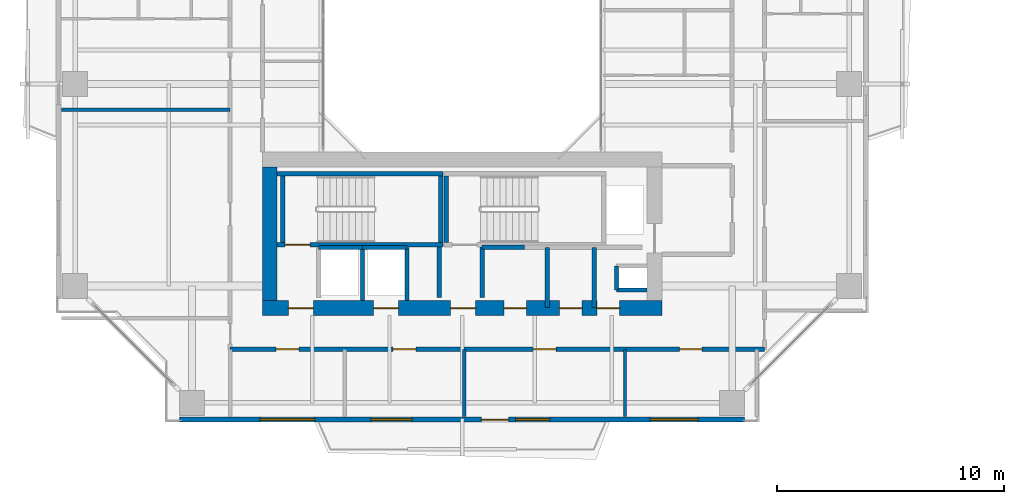
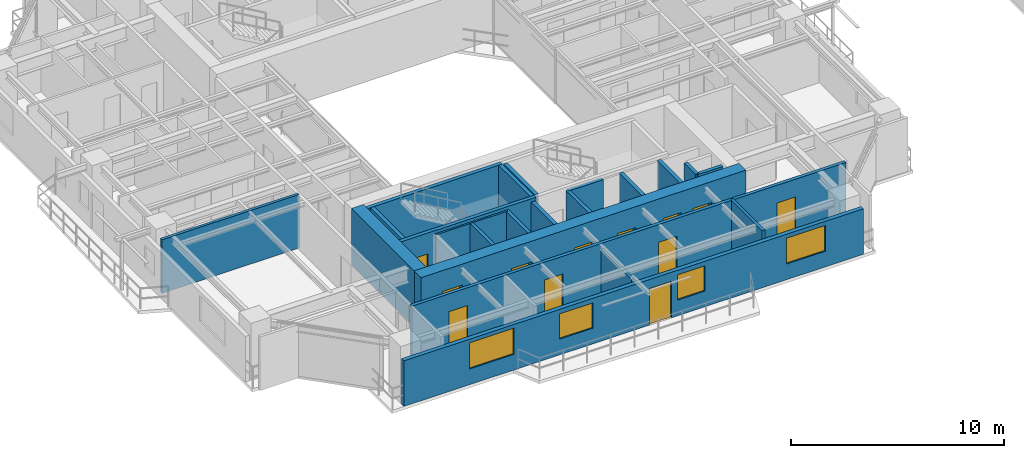
# One storey, part 13 of 24: 23 walls, 12 doors, 4 windows, 16 openings.
"""IFC4 building model written with IfcOpenShell, lengths in metres."""

from ifc_helpers import new_model, si_unit, direction, frame, frame_2d, origin, place, context, subcontext, project, spatial, rectangle, extrude, source, transform, mapped, material, layer, layer_set, type_object, element, fill, save


model = new_model("IFC4")

# Units and contexts
model_context = context("Model", 3, precision=1e-05, world=origin(), true_north=direction((0.0, 1.0)))
body_context = subcontext(model_context, "Body", "Model", "MODEL_VIEW")
ifc_project = project(units=[si_unit("LENGTHUNIT", "METRE"), si_unit("AREAUNIT", "SQUARE_METRE"), si_unit("VOLUMEUNIT", "CUBIC_METRE"), si_unit("PLANEANGLEUNIT", "RADIAN"), si_unit("MASSUNIT", "GRAM", prefix="KILO"), si_unit("THERMODYNAMICTEMPERATUREUNIT", "KELVIN"), si_unit("POWERUNIT", "WATT")], contexts=[model_context])

# Site, building, storey
site_placement = place(None, origin())
site = spatial("IfcSite", under=ifc_project, at=site_placement, CompositionType="ELEMENT")
building_placement = place(site_placement, origin())
building = spatial("IfcBuilding", under=site, at=building_placement, Name="Qiaomeng Ring Towers", CompositionType="ELEMENT")
storey_placement = place(building_placement, frame((0.0, 0.0, 110.0)))
storey = spatial("IfcBuildingStorey", under=building, at=storey_placement, Name="L31", CompositionType="ELEMENT", Elevation=110.0)

# Wall, openings, windows, door
ifc_material_1 = material(Name="Precast concrete C40", Category="concrete")
ifc_layer_1 = layer(ifc_material_1, 0.219970703125, Name="Precast concrete C40")
ifc_layer_set_1 = layer_set([ifc_layer_1], Name="Precast concrete C40")
wall_type_1 = type_object("IfcWallType", Name="ARC-WL-EW2", PredefinedType="STANDARD", material=ifc_layer_set_1)
wall_1_placement = place(storey_placement, frame((6.550048828125, 5.2099609375, 0.0), z_axis=(0.0, 0.0, 1.0), x_axis=(1.0, 0.0, 0.0)))
wall_1 = element("IfcWall", 1, at=wall_1_placement, inside=storey, type_object=wall_type_1, Name="L31 Tower 1 S Exterior Wall", PredefinedType="STANDARD", context=body_context, shape_type="SweptSolid", body=[
    extrude(rectangle(XDim=24.89990234375, YDim=0.219970703125, at=frame_2d((12.449951171875, 0.0))), origin(), (0.0, 0.0, 1.0), 2.610107421875),
])
opening_1_placement = place(wall_1_placement, frame((13.300048828125, 0.0, 0.0)))
opening_1 = element("IfcOpeningElement", 2, at=opening_1_placement, cuts=wall_1, Name="Opening BD1", PredefinedType="OPENING", context=body_context, shape_type="SweptSolid", body=[
    extrude(rectangle(XDim=1.199951171875, YDim=2.10009765625, at=frame_2d((0.60009765625, 1.050048828125))), frame((0.0, 0.119873046875, 0.0), z_axis=(0.0, -1.0, 0.0), x_axis=(1.0, 0.0, 0.0)), (0.0, 0.0, 1.0), 0.239990234375),
])
opening_2_placement = place(wall_1_placement, frame((3.554931640625, 0.0, 0.89990234375)))
opening_2 = element("IfcOpeningElement", 3, at=opening_2_placement, cuts=wall_1, Name="Opening WN6", PredefinedType="OPENING", context=body_context, shape_type="SweptSolid", body=[
    extrude(rectangle(XDim=2.39990234375, YDim=1.5, at=frame_2d((1.199951171875, 0.75))), frame((0.0, 0.119873046875, 0.0), z_axis=(0.0, -1.0, 0.0), x_axis=(1.0, 0.0, 0.0)), (0.0, 0.0, 1.0), 0.239990234375),
])
opening_3_placement = place(wall_1_placement, frame((8.43798828125, 0.0, 0.89990234375)))
opening_3 = element("IfcOpeningElement", 4, at=opening_3_placement, cuts=wall_1, Name="Opening WN1", PredefinedType="OPENING", context=body_context, shape_type="SweptSolid", body=[
    extrude(rectangle(XDim=1.800048828125, YDim=1.449951171875, at=frame_2d((0.89990234375, 0.72509765625))), frame((0.0, 0.119873046875, 0.0), z_axis=(0.0, -1.0, 0.0), x_axis=(1.0, 0.0, 0.0)), (0.0, 0.0, 1.0), 0.239990234375),
])
opening_4_placement = place(wall_1_placement, frame((14.81298828125, 0.0, 0.89990234375)))
opening_4 = element("IfcOpeningElement", 5, at=opening_4_placement, cuts=wall_1, Name="Opening WN2", PredefinedType="OPENING", context=body_context, shape_type="SweptSolid", body=[
    extrude(rectangle(XDim=1.5, YDim=1.449951171875, at=frame_2d((0.75, 0.72509765625))), frame((0.0, 0.119873046875, 0.0), z_axis=(0.0, -1.0, 0.0), x_axis=(1.0, 0.0, 0.0)), (0.0, 0.0, 1.0), 0.239990234375),
])
opening_5_placement = place(wall_1_placement, frame((20.738037109375, 0.0, 0.89990234375)))
opening_5 = element("IfcOpeningElement", 6, at=opening_5_placement, cuts=wall_1, Name="Opening WN4", PredefinedType="OPENING", context=body_context, shape_type="SweptSolid", body=[
    extrude(rectangle(XDim=2.10009765625, YDim=1.47998046875, at=frame_2d((1.050048828125, 0.739990234375))), frame((0.0, 0.119873046875, 0.0), z_axis=(0.0, -1.0, 0.0), x_axis=(1.0, 0.0, 0.0)), (0.0, 0.0, 1.0), 0.239990234375),
])
ifc_material_2 = material(Name="Low-E dark-grey laminated double glazing", Category="glass")
window_type_1 = type_object("IfcWindowType", Name="ARC-WN-2", PartitioningType="DOUBLE_PANEL_VERTICAL", PredefinedType="WINDOW", material=ifc_material_2)
shared_shape_1 = source(origin(), body_context, "Body", "SweptSolid", [
    extrude(rectangle(XDim=1.5, YDim=1.449951171875, at=frame_2d((0.75, 0.72509765625))), frame((0.0, 0.030029296875, 0.0), z_axis=(0.0, -1.0, 0.0), x_axis=(1.0, 0.0, 0.0)), (0.0, 0.0, 1.0), 0.06005859375),
])
window_1_placement = place(opening_4_placement, origin())
window_1 = element("IfcWindow", 7, at=window_1_placement, inside=storey, type_object=window_type_1, Name="L31 Exterior Window WN2", OverallHeight=1.449951171875, OverallWidth=1.5, PartitioningType="DOUBLE_PANEL_VERTICAL", PredefinedType="WINDOW", context=body_context, shape_type="MappedRepresentation", body=[
    mapped(shared_shape_1, transform((0.0, 0.0, 0.0), x_axis=(1.0, 0.0, 0.0), y_axis=(0.0, 1.0, 0.0), z_axis=(0.0, 0.0, 1.0), scale=1.0)),
])
fill(opening_4, window_1)
window_type_2 = type_object("IfcWindowType", Name="ARC-WN-4", PartitioningType="TRIPLE_PANEL_VERTICAL", PredefinedType="WINDOW", material=ifc_material_2)
shared_shape_2 = source(origin(), body_context, "Body", "SweptSolid", [
    extrude(rectangle(XDim=2.10009765625, YDim=1.47998046875, at=frame_2d((1.050048828125, 0.739990234375))), frame((0.0, 0.030029296875, 0.0), z_axis=(0.0, -1.0, 0.0), x_axis=(1.0, 0.0, 0.0)), (0.0, 0.0, 1.0), 0.06005859375),
])
window_2_placement = place(opening_5_placement, origin())
window_2 = element("IfcWindow", 8, at=window_2_placement, inside=storey, type_object=window_type_2, Name="L31 Exterior Window WN4", OverallHeight=1.47998046875, OverallWidth=2.10009765625, PartitioningType="TRIPLE_PANEL_VERTICAL", PredefinedType="WINDOW", context=body_context, shape_type="MappedRepresentation", body=[
    mapped(shared_shape_2, transform((0.0, 0.0, 0.0), x_axis=(1.0, 0.0, 0.0), y_axis=(0.0, 1.0, 0.0), z_axis=(0.0, 0.0, 1.0), scale=1.0)),
])
fill(opening_5, window_2)
window_type_3 = type_object("IfcWindowType", Name="ARC-WN-1", PartitioningType="DOUBLE_PANEL_VERTICAL", PredefinedType="WINDOW", material=ifc_material_2)
shared_shape_3 = source(origin(), body_context, "Body", "SweptSolid", [
    extrude(rectangle(XDim=1.800048828125, YDim=1.449951171875, at=frame_2d((0.89990234375, 0.72509765625))), frame((0.0, 0.030029296875, 0.0), z_axis=(0.0, -1.0, 0.0), x_axis=(1.0, 0.0, 0.0)), (0.0, 0.0, 1.0), 0.06005859375),
])
window_3_placement = place(opening_3_placement, origin())
window_3 = element("IfcWindow", 9, at=window_3_placement, inside=storey, type_object=window_type_3, Name="L31 Exterior Window WN1", OverallHeight=1.449951171875, OverallWidth=1.800048828125, PartitioningType="DOUBLE_PANEL_VERTICAL", PredefinedType="WINDOW", context=body_context, shape_type="MappedRepresentation", body=[
    mapped(shared_shape_3, transform((0.0, 0.0, 0.0), x_axis=(1.0, 0.0, 0.0), y_axis=(0.0, 1.0, 0.0), z_axis=(0.0, 0.0, 1.0), scale=1.0)),
])
fill(opening_3, window_3)
door_type_1 = type_object("IfcDoorType", Name="ARC-DR-BD1", OperationType="NOTDEFINED", PredefinedType="DOOR", material=ifc_material_2)
shared_shape_4 = source(origin(), body_context, "Body", "SweptSolid", [
    extrude(rectangle(XDim=1.199951171875, YDim=2.10009765625, at=frame_2d((0.60009765625, 1.050048828125))), frame((0.0, 0.02490234375, 0.0), z_axis=(0.0, -1.0, 0.0), x_axis=(1.0, 0.0, 0.0)), (0.0, 0.0, 1.0), 0.050048828125),
])
door_1_placement = place(opening_1_placement, frame((1.199951171875, 0.0, 0.0), z_axis=(0.0, 0.0, 1.0), x_axis=(-1.0, 0.0, 0.0)))
door_1 = element("IfcDoor", 10, at=door_1_placement, inside=storey, type_object=door_type_1, Name="L31 S Balcony Glazed Door", OperationType="SINGLE_SWING_LEFT", OverallHeight=2.10009765625, OverallWidth=1.199951171875, PredefinedType="DOOR", context=body_context, shape_type="MappedRepresentation", body=[
    mapped(shared_shape_4, transform((0.0, 0.0, 0.0), x_axis=(1.0, 0.0, 0.0), y_axis=(0.0, 1.0, 0.0), z_axis=(0.0, 0.0, 1.0), scale=1.0)),
])
fill(opening_1, door_1)
window_type_4 = type_object("IfcWindowType", Name="ARC-WN-6", PartitioningType="TRIPLE_PANEL_VERTICAL", PredefinedType="WINDOW", material=ifc_material_2)
shared_shape_5 = source(origin(), body_context, "Body", "SweptSolid", [
    extrude(rectangle(XDim=2.39990234375, YDim=1.5, at=frame_2d((1.199951171875, 0.75))), frame((0.0, 0.030029296875, 0.0), z_axis=(0.0, -1.0, 0.0), x_axis=(1.0, 0.0, 0.0)), (0.0, 0.0, 1.0), 0.06005859375),
])
window_4_placement = place(opening_2_placement, origin())
window_4 = element("IfcWindow", 11, at=window_4_placement, inside=storey, type_object=window_type_4, Name="L31 Exterior Window WN6", OverallHeight=1.5, OverallWidth=2.39990234375, PartitioningType="TRIPLE_PANEL_VERTICAL", PredefinedType="WINDOW", context=body_context, shape_type="MappedRepresentation", body=[
    mapped(shared_shape_5, transform((0.0, 0.0, 0.0), x_axis=(1.0, 0.0, 0.0), y_axis=(0.0, 1.0, 0.0), z_axis=(0.0, 0.0, 1.0), scale=1.0)),
])
fill(opening_2, window_4)

# Walls
ifc_material_3 = material(Name="Autoclaved aerated concrete block", Category="concrete")
ifc_layer_2 = layer(ifc_material_3, 0.199951171875, Name="Autoclaved aerated concrete block")
ifc_layer_set_2 = layer_set([ifc_layer_2], Name="Autoclaved aerated concrete block")
wall_type_2 = type_object("IfcWallType", Name="ARC-WL-PW1", PredefinedType="PARTITIONING", material=ifc_layer_set_2)
for number, where, z_axis, x_axis, name in (
    (12, (18.0, 10.60009765625, 0.0), (0.0, 0.0, 1.0), (0.0, 1.0, 0.0), "L31 Interior Wall PW1"),
    (13, (19.8798828125, 10.60009765625, 0.0), (0.0, 0.0, 1.0), (0.0, 1.0, 0.0), "L31 Interior Wall PW1"),
):
    element("IfcWall", number, at=place(storey_placement, frame(where, z_axis=z_axis, x_axis=x_axis)), inside=storey, type_object=wall_type_2, Name=name, PredefinedType="PARTITIONING", context=body_context, shape_type="SweptSolid", body=[
        extrude(rectangle(XDim=2.2099609375, YDim=0.199951171875, at=frame_2d((1.10498046875, 0.0))), origin(), (0.0, 0.0, 1.0), 3.070068359375),
    ])
wall_2_placement = place(storey_placement, frame((24.820068359375, 10.14990234375, 0.0), z_axis=(0.0, 0.0, 1.0), x_axis=(0.0, 1.0, 0.0)))
element("IfcWall", 14, at=wall_2_placement, inside=storey, type_object=wall_type_2, Name="L31 Interior Wall PW1", PredefinedType="PARTITIONING", context=body_context, shape_type="SweptSolid", body=[
    extrude(rectangle(XDim=2.650146484375, YDim=0.199951171875, at=frame_2d((1.3251953125, 0.0))), origin(), (0.0, 0.0, 1.0), 3.070068359375),
])
wall_3_placement = place(storey_placement, frame((19.8798828125, 12.800048828125, 0.0), z_axis=(0.0, 0.0, 1.0), x_axis=(1.0, 0.0, 0.0)))
element("IfcWall", 15, at=wall_3_placement, inside=storey, type_object=wall_type_2, Name="L31 Interior Wall PW1", PredefinedType="PARTITIONING", context=body_context, shape_type="SweptSolid", body=[
    extrude(rectangle(XDim=1.8701171875, YDim=0.199951171875, at=frame_2d((0.93505859375, 0.0))), origin(), (0.0, 0.0, 1.0), 3.070068359375),
])
wall_4_placement = place(storey_placement, frame((22.760009765625, 10.14990234375, 0.0), z_axis=(0.0, 0.0, 1.0), x_axis=(0.0, 1.0, 0.0)))
element("IfcWall", 16, at=wall_4_placement, inside=storey, type_object=wall_type_2, Name="L31 Interior Wall PW1", PredefinedType="PARTITIONING", context=body_context, shape_type="SweptSolid", body=[
    extrude(rectangle(XDim=2.650146484375, YDim=0.199951171875, at=frame_2d((1.3251953125, 0.0))), origin(), (0.0, 0.0, 1.0), 3.070068359375),
])

# Wall, openings, doors
ifc_layer_3 = layer(ifc_material_3, 0.179931640625, Name="Autoclaved aerated concrete block")
ifc_layer_set_3 = layer_set([ifc_layer_3], Name="Autoclaved aerated concrete block")
wall_type_3 = type_object("IfcWallType", Name="ARC-WL-PW2", PredefinedType="PARTITIONING", material=ifc_layer_set_3)
wall_5_placement = place(storey_placement, frame((8.780029296875, 8.31005859375, 0.0), z_axis=(0.0, 0.0, 1.0), x_axis=(1.0, 0.0, 0.0)))
wall_5 = element("IfcWall", 17, at=wall_5_placement, inside=storey, type_object=wall_type_3, Name="L31 Interior Wall PW2", PredefinedType="PARTITIONING", context=body_context, shape_type="SweptSolid", body=[
    extrude(rectangle(XDim=23.5400390625, YDim=0.179931640625, at=frame_2d((11.77001953125, 0.0))), origin(), (0.0, 0.0, 1.0), 3.070068359375),
])
opening_6_placement = place(wall_5_placement, frame((2.02490234375, 0.0, 0.0)))
opening_6 = element("IfcOpeningElement", 18, at=opening_6_placement, cuts=wall_5, Name="Opening FD4", PredefinedType="OPENING", context=body_context, shape_type="SweptSolid", body=[
    extrude(rectangle(XDim=1.0, YDim=2.050048828125, at=frame_2d((0.5, 1.02490234375))), frame((0.0, 0.099853515625, 0.0), z_axis=(0.0, -1.0, 0.0), x_axis=(1.0, 0.0, 0.0)), (0.0, 0.0, 1.0), 0.199951171875),
])
opening_7_placement = place(wall_5_placement, frame((7.18505859375, 0.0, 0.0)))
opening_7 = element("IfcOpeningElement", 19, at=opening_7_placement, cuts=wall_5, Name="Opening FD4", PredefinedType="OPENING", context=body_context, shape_type="SweptSolid", body=[
    extrude(rectangle(XDim=1.0, YDim=2.050048828125, at=frame_2d((0.5, 1.02490234375))), frame((0.0, 0.099853515625, 0.0), z_axis=(0.0, -1.0, 0.0), x_axis=(1.0, 0.0, 0.0)), (0.0, 0.0, 1.0), 0.199951171875),
])
opening_8_placement = place(wall_5_placement, frame((13.360107421875, 0.0, 0.0)))
opening_8 = element("IfcOpeningElement", 20, at=opening_8_placement, cuts=wall_5, Name="Opening FD4", PredefinedType="OPENING", context=body_context, shape_type="SweptSolid", body=[
    extrude(rectangle(XDim=1.0, YDim=2.050048828125, at=frame_2d((0.5, 1.02490234375))), frame((0.0, 0.099853515625, 0.0), z_axis=(0.0, -1.0, 0.0), x_axis=(1.0, 0.0, 0.0)), (0.0, 0.0, 1.0), 0.199951171875),
])
opening_9_placement = place(wall_5_placement, frame((19.800048828125, 0.0, 0.0)))
opening_9 = element("IfcOpeningElement", 21, at=opening_9_placement, cuts=wall_5, Name="Opening FD4", PredefinedType="OPENING", context=body_context, shape_type="SweptSolid", body=[
    extrude(rectangle(XDim=1.0, YDim=2.050048828125, at=frame_2d((0.5, 1.02490234375))), frame((0.0, 0.099853515625, 0.0), z_axis=(0.0, -1.0, 0.0), x_axis=(1.0, 0.0, 0.0)), (0.0, 0.0, 1.0), 0.199951171875),
])
ifc_material_4 = material(Name="Engineered fire-rated oak timber", Category="wood")
door_type_2 = type_object("IfcDoorType", Name="ARC-DR-FD4", OperationType="NOTDEFINED", PredefinedType="DOOR", material=ifc_material_4)
shared_shape_6 = source(origin(), body_context, "Body", "SweptSolid", [
    extrude(rectangle(XDim=1.0, YDim=2.050048828125, at=frame_2d((0.5, 1.02490234375))), frame((0.0, 0.02490234375, 0.0), z_axis=(0.0, -1.0, 0.0), x_axis=(1.0, 0.0, 0.0)), (0.0, 0.0, 1.0), 0.050048828125),
])
door_2_placement = place(opening_6_placement, origin())
door_2 = element("IfcDoor", 22, at=door_2_placement, inside=storey, type_object=door_type_2, Name="L31 Door FD4", OperationType="SINGLE_SWING_RIGHT", OverallHeight=2.050048828125, OverallWidth=1.0, PredefinedType="DOOR", context=body_context, shape_type="MappedRepresentation", body=[
    mapped(shared_shape_6, transform((0.0, 0.0, 0.0), x_axis=(1.0, 0.0, 0.0), y_axis=(0.0, 1.0, 0.0), z_axis=(0.0, 0.0, 1.0), scale=1.0)),
])
fill(opening_6, door_2)
door_3_placement = place(opening_7_placement, origin())
door_3 = element("IfcDoor", 23, at=door_3_placement, inside=storey, type_object=door_type_2, Name="L31 Door FD4", OperationType="SINGLE_SWING_LEFT", OverallHeight=2.050048828125, OverallWidth=1.0, PredefinedType="DOOR", context=body_context, shape_type="MappedRepresentation", body=[
    mapped(shared_shape_6, transform((0.0, 0.0, 0.0), x_axis=(1.0, 0.0, 0.0), y_axis=(0.0, 1.0, 0.0), z_axis=(0.0, 0.0, 1.0), scale=1.0)),
])
fill(opening_7, door_3)
door_4_placement = place(opening_8_placement, origin())
door_4 = element("IfcDoor", 24, at=door_4_placement, inside=storey, type_object=door_type_2, Name="L31 Door FD4", OperationType="SINGLE_SWING_RIGHT", OverallHeight=2.050048828125, OverallWidth=1.0, PredefinedType="DOOR", context=body_context, shape_type="MappedRepresentation", body=[
    mapped(shared_shape_6, transform((0.0, 0.0, 0.0), x_axis=(1.0, 0.0, 0.0), y_axis=(0.0, 1.0, 0.0), z_axis=(0.0, 0.0, 1.0), scale=1.0)),
])
fill(opening_8, door_4)
door_5_placement = place(opening_9_placement, origin())
door_5 = element("IfcDoor", 25, at=door_5_placement, inside=storey, type_object=door_type_2, Name="L31 Door FD4", OperationType="SINGLE_SWING_LEFT", OverallHeight=2.050048828125, OverallWidth=1.0, PredefinedType="DOOR", context=body_context, shape_type="MappedRepresentation", body=[
    mapped(shared_shape_6, transform((0.0, 0.0, 0.0), x_axis=(1.0, 0.0, 0.0), y_axis=(0.0, 1.0, 0.0), z_axis=(0.0, 0.0, 1.0), scale=1.0)),
])
fill(opening_9, door_5)

# Walls
ifc_material_5 = material(Name="Gypsum fireboard steel-stud partition", Category="steel")
ifc_layer_4 = layer(ifc_material_5, 0.14990234375, Name="Gypsum fireboard steel-stud partition")
ifc_layer_set_4 = layer_set([ifc_layer_4], Name="Gypsum fireboard steel-stud partition")
wall_type_4 = type_object("IfcWallType", Name="ARC-WL-PW3", PredefinedType="PARTITIONING", material=ifc_layer_set_4)
wall_6_placement = place(storey_placement, frame((19.10009765625, 5.35009765625, 0.0), z_axis=(0.0, 0.0, 1.0), x_axis=(0.0, 1.0, 0.0)))
element("IfcWall", 26, at=wall_6_placement, inside=storey, type_object=wall_type_4, Name="L31 Interior Wall PW3", PredefinedType="PARTITIONING", context=body_context, shape_type="SweptSolid", body=[
    extrude(rectangle(XDim=2.9599609375, YDim=0.14990234375, at=frame_2d((1.47998046875, 0.0))), origin(), (0.0, 0.0, 1.0), 2.764892578125),
])
wall_7_placement = place(storey_placement, frame((26.179931640625, 5.35009765625, 0.0), z_axis=(0.0, 0.0, 1.0), x_axis=(0.0, 1.0, 0.0)))
element("IfcWall", 27, at=wall_7_placement, inside=storey, type_object=wall_type_4, Name="L31 Interior Wall PW3", PredefinedType="PARTITIONING", context=body_context, shape_type="SweptSolid", body=[
    extrude(rectangle(XDim=2.9599609375, YDim=0.14990234375, at=frame_2d((1.47998046875, 0.0))), origin(), (0.0, 0.0, 1.0), 3.070068359375),
])
wall_8_placement = place(storey_placement, frame((1.35009765625, 18.860107421875, 0.0), z_axis=(0.0, 0.0, 1.0), x_axis=(1.0, 0.0, 0.0)))
element("IfcWall", 28, at=wall_8_placement, inside=storey, type_object=wall_type_4, Name="L31 Interior Wall PW3", PredefinedType="PARTITIONING", context=body_context, shape_type="SweptSolid", body=[
    extrude(rectangle(XDim=7.429931640625, YDim=0.14990234375, at=frame_2d((3.71484375, 0.0))), origin(), (0.0, 0.0, 1.0), 3.070068359375),
])
ifc_material_6 = material(Name="Concrete C40", Category="concrete")
ifc_layer_5 = layer(ifc_material_6, 0.199951171875, Name="Concrete C40")
ifc_layer_set_5 = layer_set([ifc_layer_5], Name="Concrete C40")
wall_type_5 = type_object("IfcWallType", Name="STR-WL-STSHAFT", PredefinedType="SHEAR", material=ifc_layer_set_5)
wall_9_placement = place(storey_placement, frame((12.679931640625, 12.800048828125, 0.0), z_axis=(0.0, 0.0, 1.0), x_axis=(1.0, 0.0, 0.0)))
element("IfcWall", 29, at=wall_9_placement, inside=storey, type_object=wall_type_5, Name="L31 Lift LP6 Shaft Back Wall", PredefinedType="SHEAR", context=body_context, shape_type="SweptSolid", body=[
    extrude(rectangle(XDim=1.940185546875, YDim=0.179931640625, at=frame_2d((0.97021484375, 0.0))), origin(), (0.0, 0.0, 1.0), 3.070068359375),
])
wall_10_placement = place(storey_placement, frame((14.6201171875, 10.449951171875, 0.0), z_axis=(0.0, 0.0, 1.0), x_axis=(0.0, 1.0, 0.0)))
element("IfcWall", 30, at=wall_10_placement, inside=storey, type_object=wall_type_5, Name="L31 Lift LP6-LP4 Shaft Divider Wall", PredefinedType="SHEAR", context=body_context, shape_type="SweptSolid", body=[
    extrude(rectangle(XDim=2.35009765625, YDim=0.179931640625, at=frame_2d((1.175048828125, 0.0))), origin(), (0.0, 0.0, 1.0), 3.070068359375),
])
wall_11_placement = place(storey_placement, frame((25.800048828125, 10.919921875, 0.0), z_axis=(0.0, 0.0, 1.0), x_axis=(0.0, 1.0, 0.0)))
element("IfcWall", 31, at=wall_11_placement, inside=storey, type_object=wall_type_5, Name="L31 Riser RSR1 West Shaft Wall S", PredefinedType="SHEAR", context=body_context, shape_type="SweptSolid", body=[
    extrude(rectangle(XDim=1.06005859375, YDim=0.179931640625, at=frame_2d((0.530029296875, 0.0))), origin(), (0.0, 0.0, 1.0), 3.070068359375),
])
wall_12_placement = place(storey_placement, frame((25.800048828125, 10.919921875, 0.0), z_axis=(0.0, 0.0, 1.0), x_axis=(1.0, 0.0, 0.0)))
element("IfcWall", 32, at=wall_12_placement, inside=storey, type_object=wall_type_5, Name="L31 Riser RSR1 South Shaft Wall S", PredefinedType="SHEAR", context=body_context, shape_type="SweptSolid", body=[
    extrude(rectangle(XDim=1.349853515625, YDim=0.179931640625, at=frame_2d((0.6748046875, 0.0))), origin(), (0.0, 0.0, 1.0), 3.070068359375),
])
wall_13_placement = place(storey_placement, frame((14.6201171875, 12.800048828125, 0.0), z_axis=(0.0, 0.0, 1.0), x_axis=(1.0, 0.0, 0.0)))
element("IfcWall", 33, at=wall_13_placement, inside=storey, type_object=wall_type_5, Name="L31 Lift LP4 Shaft Back Wall", PredefinedType="SHEAR", context=body_context, shape_type="SweptSolid", body=[
    extrude(rectangle(XDim=1.9599609375, YDim=0.179931640625, at=frame_2d((0.97998046875, 0.0))), origin(), (0.0, 0.0, 1.0), 3.070068359375),
])
wall_14_placement = place(storey_placement, frame((16.580078125, 10.449951171875, 0.0), z_axis=(0.0, 0.0, 1.0), x_axis=(0.0, 1.0, 0.0)))
element("IfcWall", 34, at=wall_14_placement, inside=storey, type_object=wall_type_5, Name="L31 Lift LP4 East Shaft Wall", PredefinedType="SHEAR", context=body_context, shape_type="SweptSolid", body=[
    extrude(rectangle(XDim=2.35009765625, YDim=0.179931640625, at=frame_2d((1.175048828125, 0.0))), origin(), (0.0, 0.0, 1.0), 3.070068359375),
])

# Wall, opening, door
wall_15_placement = place(storey_placement, frame((10.85009765625, 12.909912109375, 0.0), z_axis=(0.0, 0.0, 1.0), x_axis=(1.0, 0.0, 0.0)))
wall_15 = element("IfcWall", 35, at=wall_15_placement, inside=storey, type_object=wall_type_5, Name="L31 Stair ST3 South Shaft Shear Wall", PredefinedType="SHEAR", context=body_context, shape_type="SweptSolid", body=[
    extrude(rectangle(XDim=7.2998046875, YDim=0.199951171875, at=frame_2d((3.64990234375, 0.0))), origin(), (0.0, 0.0, 1.0), 3.25),
])
opening_10_placement = place(wall_15_placement, frame((0.35009765625, 0.0, 0.0)))
opening_10 = element("IfcOpeningElement", 36, at=opening_10_placement, cuts=wall_15, Name="Opening FD3", PredefinedType="OPENING", context=body_context, shape_type="SweptSolid", body=[
    extrude(rectangle(XDim=1.10009765625, YDim=2.050048828125, at=frame_2d((0.550048828125, 1.02490234375))), frame((0.0, 0.10986328125, 0.0), z_axis=(0.0, -1.0, 0.0), x_axis=(1.0, 0.0, 0.0)), (0.0, 0.0, 1.0), 0.219970703125),
])
ifc_material_7 = material(Name="Galvanised steel", Category="steel")
door_type_3 = type_object("IfcDoorType", Name="ARC-DR-FD3", OperationType="NOTDEFINED", PredefinedType="DOOR", material=ifc_material_7)
shared_shape_7 = source(origin(), body_context, "Body", "SweptSolid", [
    extrude(rectangle(XDim=1.10009765625, YDim=2.050048828125, at=frame_2d((0.550048828125, 1.02490234375))), frame((0.0, 0.02490234375, 0.0), z_axis=(0.0, -1.0, 0.0), x_axis=(1.0, 0.0, 0.0)), (0.0, 0.0, 1.0), 0.050048828125),
])
door_6_placement = place(opening_10_placement, frame((1.10009765625, 0.0, 0.0), z_axis=(0.0, 0.0, 1.0), x_axis=(-1.0, 0.0, 0.0)))
door_6 = element("IfcDoor", 37, at=door_6_placement, inside=storey, type_object=door_type_3, Name="L31 Stair ST3 Exit Door", OperationType="SINGLE_SWING_RIGHT", OverallHeight=2.050048828125, OverallWidth=1.10009765625, PredefinedType="DOOR", context=body_context, shape_type="MappedRepresentation", body=[
    mapped(shared_shape_7, transform((0.0, 0.0, 0.0), x_axis=(1.0, 0.0, 0.0), y_axis=(0.0, 1.0, 0.0), z_axis=(0.0, 0.0, 1.0), scale=1.0)),
])
fill(opening_10, door_6)

# Walls
wall_16_placement = place(storey_placement, frame((10.85009765625, 16.050048828125, 0.0), z_axis=(0.0, 0.0, 1.0), x_axis=(1.0, 0.0, 0.0)))
element("IfcWall", 38, at=wall_16_placement, inside=storey, type_object=wall_type_5, Name="L31 Stair ST3 North Shaft Shear Wall", PredefinedType="SHEAR", context=body_context, shape_type="SweptSolid", body=[
    extrude(rectangle(XDim=7.2998046875, YDim=0.199951171875, at=frame_2d((3.64990234375, 0.0))), origin(), (0.0, 0.0, 1.0), 3.25),
])
for number, where, z_axis, x_axis, name in (
    (39, (11.10009765625, 13.010009765625, 0.0), (0.0, 0.0, 1.0), (0.0, 1.0, 0.0), "L31 Stair ST3 West Shaft Shear Wall"),
    (40, (18.050048828125, 13.010009765625, 0.0), (0.0, 0.0, 1.0), (0.0, 1.0, 0.0), "L31 Stair ST3 East Shaft Shear Wall"),
    (41, (18.300048828125, 13.010009765625, 0.0), (0.0, 0.0, 1.0), (0.0, 1.0, 0.0), "L31 Stair ST4 West Shaft Shear Wall"),
):
    element("IfcWall", number, at=place(storey_placement, frame(where, z_axis=z_axis, x_axis=x_axis)), inside=storey, type_object=wall_type_5, Name=name, PredefinedType="SHEAR", context=body_context, shape_type="SweptSolid", body=[
        extrude(rectangle(XDim=2.93994140625, YDim=0.199951171875, at=frame_2d((1.469970703125, 0.0))), origin(), (0.0, 0.0, 1.0), 3.25),
    ])

# Wall, openings, doors
ifc_material_8 = material(Name="Concrete C55", Category="concrete")
ifc_layer_6 = layer(ifc_material_8, 0.64990234375, Name="Concrete C55")
ifc_layer_set_6 = layer_set([ifc_layer_6], Name="Concrete C55")
wall_type_6 = type_object("IfcWallType", Name="STR-WL-SW2A", PredefinedType="SHEAR", material=ifc_layer_set_6)
wall_17_placement = place(storey_placement, frame((10.199951171875, 10.125, 0.0), z_axis=(0.0, 0.0, 1.0), x_axis=(1.0, 0.0, 0.0)))
wall_17 = element("IfcWall", 42, at=wall_17_placement, inside=storey, type_object=wall_type_6, Name="L31 T1SC south core shear wall", PredefinedType="SHEAR", context=body_context, shape_type="SweptSolid", body=[
    extrude(rectangle(XDim=17.60009765625, YDim=0.64990234375, at=frame_2d((8.800048828125, 0.0))), origin(), (0.0, 0.0, 1.0), 3.25),
])
opening_11_placement = place(wall_17_placement, frame((1.14990234375, 0.0, 0.0)))
opening_11 = element("IfcOpeningElement", 43, at=opening_11_placement, cuts=wall_17, Name="Opening FD3", PredefinedType="OPENING", context=body_context, shape_type="SweptSolid", body=[
    extrude(rectangle(XDim=1.10009765625, YDim=2.050048828125, at=frame_2d((0.550048828125, 1.02490234375))), frame((0.0, 0.3349609375, 0.0), z_axis=(0.0, -1.0, 0.0), x_axis=(1.0, 0.0, 0.0)), (0.0, 0.0, 1.0), 0.669921875),
])
opening_12_placement = place(wall_17_placement, frame((8.300048828125, 0.0, 0.0)))
opening_12 = element("IfcOpeningElement", 44, at=opening_12_placement, cuts=wall_17, Name="Opening FD3", PredefinedType="OPENING", context=body_context, shape_type="SweptSolid", body=[
    extrude(rectangle(XDim=1.10009765625, YDim=2.050048828125, at=frame_2d((0.550048828125, 1.02490234375))), frame((0.0, 0.3349609375, 0.0), z_axis=(0.0, -1.0, 0.0), x_axis=(1.0, 0.0, 0.0)), (0.0, 0.0, 1.0), 0.669921875),
])
opening_13_placement = place(wall_17_placement, frame((4.89990234375, 0.0, 0.0)))
opening_13 = element("IfcOpeningElement", 45, at=opening_13_placement, cuts=wall_17, Name="Opening LD1", PredefinedType="OPENING", context=body_context, shape_type="SweptSolid", body=[
    extrude(rectangle(XDim=1.10009765625, YDim=2.050048828125, at=frame_2d((0.550048828125, 1.02490234375))), frame((0.0, 0.3349609375, 0.0), z_axis=(0.0, -1.0, 0.0), x_axis=(1.0, 0.0, 0.0)), (0.0, 0.0, 1.0), 0.669921875),
])
opening_14_placement = place(wall_17_placement, frame((14.739990234375, 0.0, 0.0)))
opening_14 = element("IfcOpeningElement", 46, at=opening_14_placement, cuts=wall_17, Name="Opening FD1", PredefinedType="OPENING", context=body_context, shape_type="SweptSolid", body=[
    extrude(rectangle(XDim=1.0, YDim=2.050048828125, at=frame_2d((0.5, 1.02490234375))), frame((0.0, 0.3349609375, 0.0), z_axis=(0.0, -1.0, 0.0), x_axis=(1.0, 0.0, 0.0)), (0.0, 0.0, 1.0), 0.669921875),
])
opening_15_placement = place(wall_17_placement, frame((10.639892578125, 0.0, 0.0)))
opening_15 = element("IfcOpeningElement", 47, at=opening_15_placement, cuts=wall_17, Name="Opening FD1", PredefinedType="OPENING", context=body_context, shape_type="SweptSolid", body=[
    extrude(rectangle(XDim=1.0, YDim=2.050048828125, at=frame_2d((0.5, 1.02490234375))), frame((0.0, 0.3349609375, 0.0), z_axis=(0.0, -1.0, 0.0), x_axis=(1.0, 0.0, 0.0)), (0.0, 0.0, 1.0), 0.669921875),
])
opening_16_placement = place(wall_17_placement, frame((13.090087890625, 0.0, 0.0)))
opening_16 = element("IfcOpeningElement", 48, at=opening_16_placement, cuts=wall_17, Name="Opening FD1", PredefinedType="OPENING", context=body_context, shape_type="SweptSolid", body=[
    extrude(rectangle(XDim=1.0, YDim=2.050048828125, at=frame_2d((0.5, 1.02490234375))), frame((0.0, 0.3349609375, 0.0), z_axis=(0.0, -1.0, 0.0), x_axis=(1.0, 0.0, 0.0)), (0.0, 0.0, 1.0), 0.669921875),
])
door_7_placement = place(opening_11_placement, origin())
door_7 = element("IfcDoor", 49, at=door_7_placement, inside=storey, type_object=door_type_3, Name="L31 Stair ST3 Lobby Door", OperationType="SINGLE_SWING_LEFT", OverallHeight=2.050048828125, OverallWidth=1.10009765625, PredefinedType="DOOR", context=body_context, shape_type="MappedRepresentation", body=[
    mapped(shared_shape_7, transform((0.0, 0.0, 0.0), x_axis=(1.0, 0.0, 0.0), y_axis=(0.0, 1.0, 0.0), z_axis=(0.0, 0.0, 1.0), scale=1.0)),
])
fill(opening_11, door_7)
door_8_placement = place(opening_12_placement, origin())
door_8 = element("IfcDoor", 50, at=door_8_placement, inside=storey, type_object=door_type_3, Name="L31 Stair ST4 Lobby Door", OperationType="SINGLE_SWING_LEFT", OverallHeight=2.050048828125, OverallWidth=1.10009765625, PredefinedType="DOOR", context=body_context, shape_type="MappedRepresentation", body=[
    mapped(shared_shape_7, transform((0.0, 0.0, 0.0), x_axis=(1.0, 0.0, 0.0), y_axis=(0.0, 1.0, 0.0), z_axis=(0.0, 0.0, 1.0), scale=1.0)),
])
fill(opening_12, door_8)
ifc_material_9 = material(Name="Stainless steel 316", Category="steel")
door_type_4 = type_object("IfcDoorType", Name="ARC-DR-LD1", OperationType="NOTDEFINED", PredefinedType="DOOR", material=ifc_material_9)
door_9_placement = place(opening_13_placement, origin())
door_9 = element("IfcDoor", 51, at=door_9_placement, inside=storey, type_object=door_type_4, Name="L31 Mid-Zone Lift LP4 Landing Door", OperationType="SLIDING_TO_RIGHT", OverallHeight=2.050048828125, OverallWidth=1.10009765625, PredefinedType="DOOR", context=body_context, shape_type="MappedRepresentation", body=[
    mapped(shared_shape_7, transform((0.0, 0.0, 0.0), x_axis=(1.0, 0.0, 0.0), y_axis=(0.0, 1.0, 0.0), z_axis=(0.0, 0.0, 1.0), scale=1.0)),
])
fill(opening_13, door_9)
door_type_5 = type_object("IfcDoorType", Name="ARC-DR-FD1", OperationType="NOTDEFINED", PredefinedType="DOOR", material=ifc_material_7)
door_10_placement = place(opening_14_placement, origin())
door_10 = element("IfcDoor", 52, at=door_10_placement, inside=storey, type_object=door_type_5, Name="L31 South Electrical Riser Door", OperationType="SINGLE_SWING_RIGHT", OverallHeight=2.050048828125, OverallWidth=1.0, PredefinedType="DOOR", context=body_context, shape_type="MappedRepresentation", body=[
    mapped(shared_shape_6, transform((0.0, 0.0, 0.0), x_axis=(1.0, 0.0, 0.0), y_axis=(0.0, 1.0, 0.0), z_axis=(0.0, 0.0, 1.0), scale=1.0)),
])
fill(opening_14, door_10)
door_11_placement = place(opening_15_placement, origin())
door_11 = element("IfcDoor", 53, at=door_11_placement, inside=storey, type_object=door_type_5, Name="L31 South Telemetry Study Door", OperationType="SINGLE_SWING_LEFT", OverallHeight=2.050048828125, OverallWidth=1.0, PredefinedType="DOOR", context=body_context, shape_type="MappedRepresentation", body=[
    mapped(shared_shape_6, transform((0.0, 0.0, 0.0), x_axis=(1.0, 0.0, 0.0), y_axis=(0.0, 1.0, 0.0), z_axis=(0.0, 0.0, 1.0), scale=1.0)),
])
fill(opening_15, door_11)
door_12_placement = place(opening_16_placement, origin())
door_12 = element("IfcDoor", 54, at=door_12_placement, inside=storey, type_object=door_type_5, Name="L31 South Staff Pantry Door", OperationType="SINGLE_SWING_RIGHT", OverallHeight=2.050048828125, OverallWidth=1.0, PredefinedType="DOOR", context=body_context, shape_type="MappedRepresentation", body=[
    mapped(shared_shape_6, transform((0.0, 0.0, 0.0), x_axis=(1.0, 0.0, 0.0), y_axis=(0.0, 1.0, 0.0), z_axis=(0.0, 0.0, 1.0), scale=1.0)),
])
fill(opening_16, door_12)

# Wall
wall_18_placement = place(storey_placement, frame((10.52490234375, 10.449951171875, 0.0), z_axis=(0.0, 0.0, 1.0), x_axis=(0.0, 1.0, 0.0)))
element("IfcWall", 55, at=wall_18_placement, inside=storey, type_object=wall_type_6, Name="L31 T1SC west core shear wall", PredefinedType="SHEAR", context=body_context, shape_type="SweptSolid", body=[
    extrude(rectangle(XDim=5.900146484375, YDim=0.64990234375, at=frame_2d((2.9501953125, 0.0))), origin(), (0.0, 0.0, 1.0), 3.25),
])

save(model, "model.ifc")
